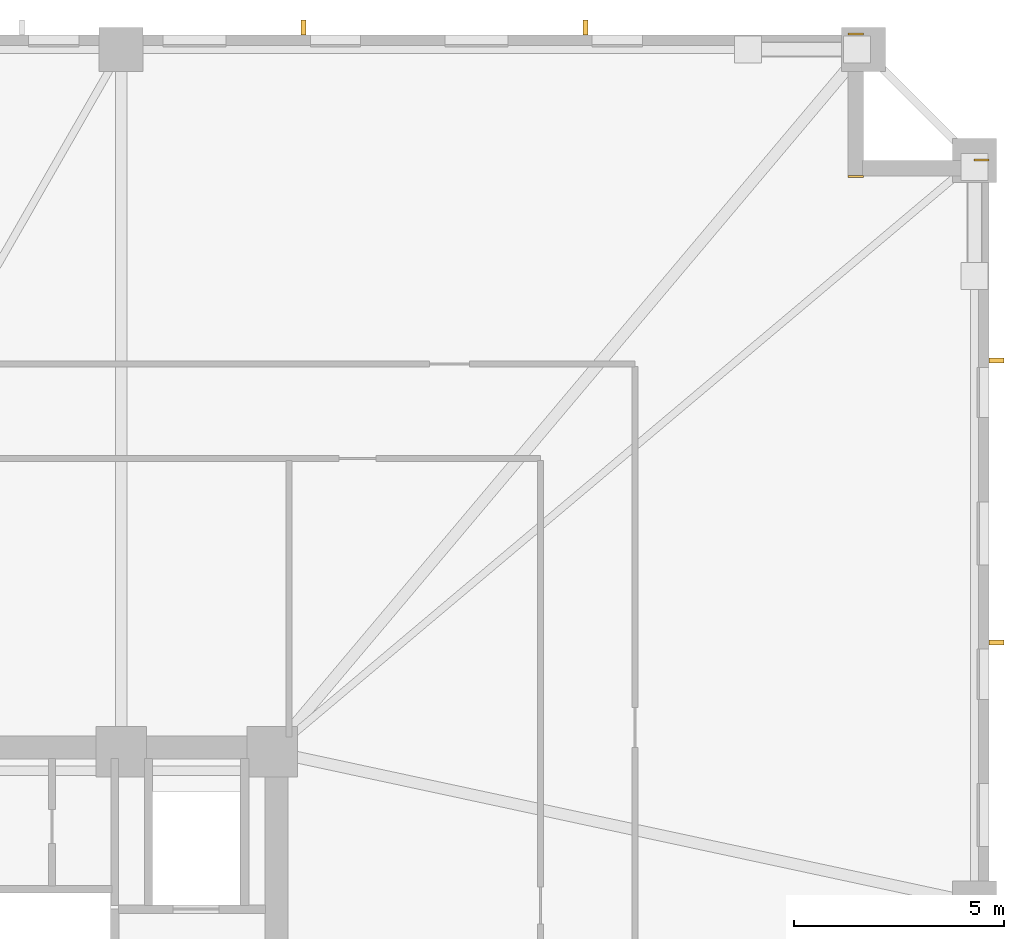
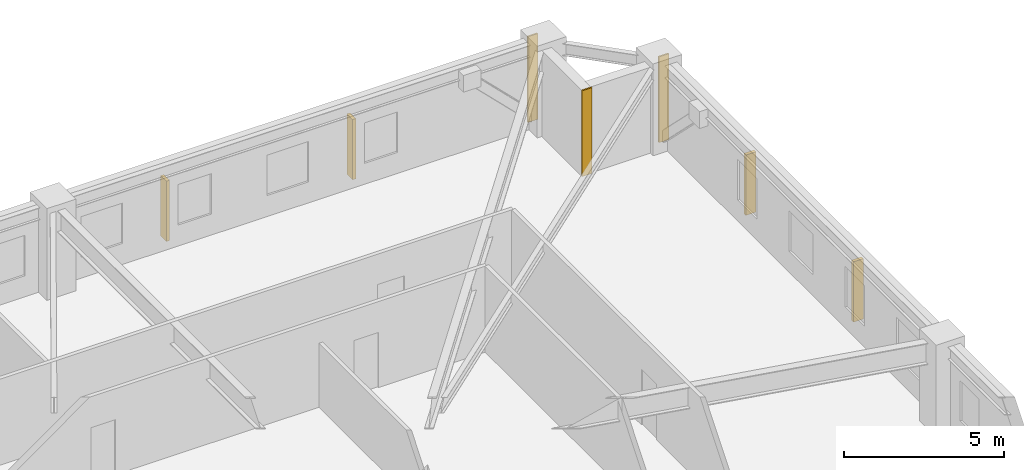
# One storey, part 10 of 10: 4 shading devices, 3 coverings.
"""IFC4 building model written with IfcOpenShell, lengths in metres."""

from ifc_helpers import new_model, si_unit, direction, frame, frame_2d, origin, origin_2d, place, context, subcontext, project, spatial, rectangle, extrude, material, layer, layer_set, type_object, element, save


model = new_model("IFC4")

# Units and contexts
model_context = context("Model", 3, precision=1e-05, world=origin(), true_north=direction((0.0, 1.0)))
body_context = subcontext(model_context, "Body", "Model", "MODEL_VIEW")
ifc_project = project(units=[si_unit("LENGTHUNIT", "METRE"), si_unit("AREAUNIT", "SQUARE_METRE"), si_unit("VOLUMEUNIT", "CUBIC_METRE"), si_unit("PLANEANGLEUNIT", "RADIAN"), si_unit("MASSUNIT", "GRAM", prefix="KILO")], contexts=[model_context])

# Site, building, storey
site_placement = place(None, origin())
site = spatial("IfcSite", under=ifc_project, at=site_placement, CompositionType="ELEMENT")
building_placement = place(site_placement, origin())
building = spatial("IfcBuilding", under=site, at=building_placement, Name="Cairnveth Concourse Tower", CompositionType="ELEMENT")
storey_placement = place(building_placement, frame((0.0, 0.0, 27.0)))
storey = spatial("IfcBuildingStorey", under=building, at=storey_placement, Name="L06", CompositionType="ELEMENT", Elevation=27.0)

# Coverings
ifc_material_1 = material(Name="Dressed Melbourne Bluestone Cladding", Category="masonry")
ifc_layer = layer(ifc_material_1, 0.050048828125)
ifc_layer_set = layer_set([ifc_layer], Name="Dressed Melbourne Bluestone Cladding")
covering_type = type_object("IfcCoveringType", Name="DRESSED BLUESTONE PLINTH CLADDING 50", PredefinedType="CLADDING", material=ifc_layer_set)
for number, where, z_axis, x_axis, name in (
    (1, (74.139892578125, 64.52001953125, 0.0), (0.0, 0.0, 1.0), (1.0, 0.0, 0.0), "Melbourne Bluestone Corner Quoin L06-46"),
    (2, (74.139892578125, 61.1201171875, 0.0), (0.0, 0.0, 1.0), (1.0, 0.0, 0.0), "Melbourne Bluestone Corner Quoin L06-47"),
    (3, (77.139892578125, 61.52001953125, 0.0), (0.0, 0.0, 1.0), (1.0, 0.0, 0.0), "Melbourne Bluestone Corner Quoin L06-48"),
):
    element("IfcCovering", number, at=place(storey_placement, frame(where, z_axis=z_axis, x_axis=x_axis)), inside=storey, type_object=covering_type, Name=name, PredefinedType="CLADDING", context=body_context, shape_type="SweptSolid", body=[
        extrude(rectangle(XDim=0.360107421875, YDim=0.050048828125, at=frame_2d((0.18017578125, 0.0))), origin(), (0.0, 0.0, 1.0), 3.280029296875),
    ])

# Shading devices
ifc_material_2 = material(Name="Architectural Bronze Anodised Aluminium 6063-T6", Category="aluminium")
shading_device_type = type_object("IfcShadingDeviceType", Name="GOTHIC BRONZE VERTICAL LANCET FIN", PredefinedType="USERDEFINED", material=ifc_material_2)
for number, where, z_axis, x_axis, name in (
    (4, (61.151611328125, 64.675048828125, 0.02978515625), (0.0, 0.0, 1.0), (1.0, 0.0, 0.0), "Gothic Bronze Vertical Fin L06-6-9"),
    (5, (67.871826171875, 64.675048828125, 0.02978515625), (0.0, 0.0, 1.0), (1.0, 0.0, 0.0), "Gothic Bronze Vertical Fin L06-6-11"),
    (6, (77.675048828125, 56.72998046875, 0.02978515625), (0.0, 0.0, 1.0), (0.0, 1.0, 0.0), "Gothic Bronze Vertical Fin L06-9-1"),
    (7, (77.675048828125, 50.009521484375, 0.02978515625), (0.0, 0.0, 1.0), (0.0, 1.0, 0.0), "Gothic Bronze Vertical Fin L06-9-3"),
):
    element("IfcShadingDevice", number, at=place(storey_placement, frame(where, z_axis=z_axis, x_axis=x_axis)), inside=storey, type_object=shading_device_type, Name=name, ObjectType="VERTICAL FIN", PredefinedType="USERDEFINED", context=body_context, shape_type="SweptSolid", body=[
        extrude(rectangle(XDim=0.1201171875, YDim=0.360107421875, at=origin_2d()), origin(), (0.0, 0.0, 1.0), 2.303955078125),
    ])

save(model, "model.ifc")
